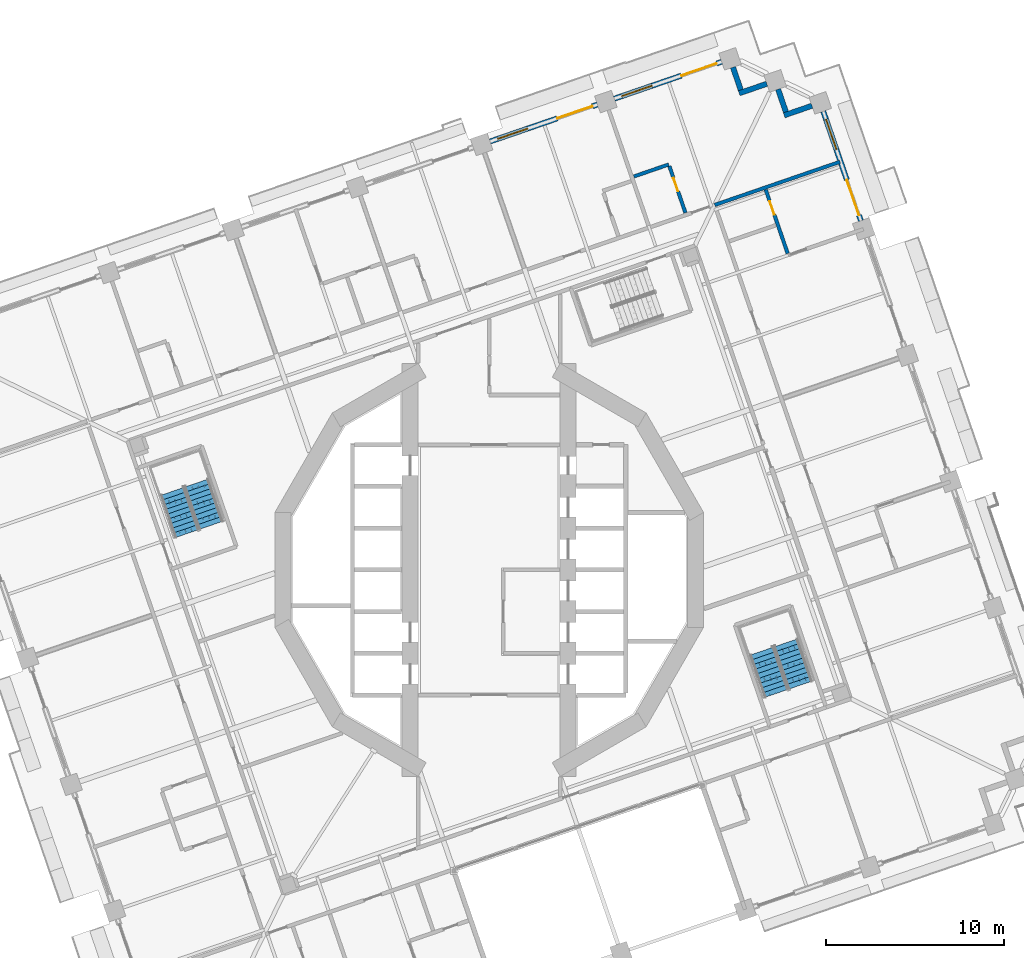
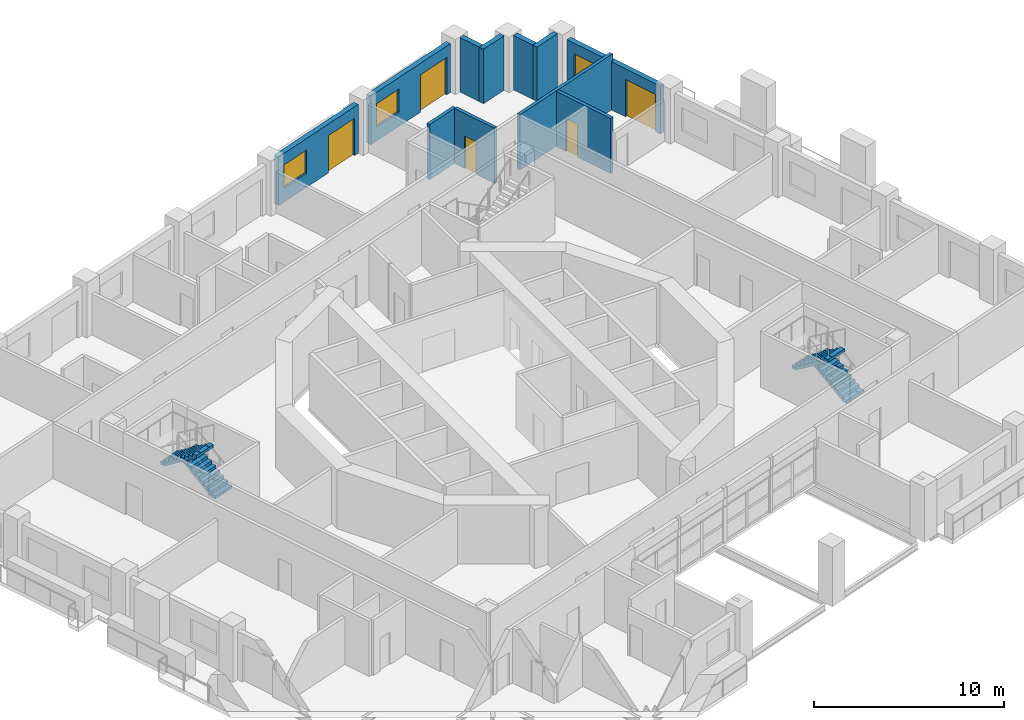
# One storey, part 14 of 22: 11 walls, 5 doors, 4 stair flights, 3 windows, 8 openings, 2 elements without a shape of their own.
"""IFC4 building model written with IfcOpenShell, lengths in metres."""

from ifc_helpers import new_model, si_unit, direction, frame, frame_2d, origin, place, context, subcontext, project, spatial, polyline, rectangle, outline, extrude, material, layer, layer_set, type_object, element, fill, aggregate, save


model = new_model("IFC4")

# Units and contexts
model_context = context("Model", 3, precision=1e-05, world=origin(), true_north=direction((0.0, 1.0)))
body_context = subcontext(model_context, "Body", "Model", "MODEL_VIEW")
ifc_project = project(units=[si_unit("LENGTHUNIT", "METRE"), si_unit("AREAUNIT", "SQUARE_METRE"), si_unit("VOLUMEUNIT", "CUBIC_METRE"), si_unit("PLANEANGLEUNIT", "RADIAN"), si_unit("MASSUNIT", "GRAM", prefix="KILO")], contexts=[model_context])

# Site, building, storey
site_placement = place(None, origin())
site = spatial("IfcSite", under=ifc_project, at=site_placement, CompositionType="ELEMENT")
building_placement = place(site_placement, origin())
building = spatial("IfcBuilding", under=site, at=building_placement, Name="Cantera Rosa Tower", CompositionType="ELEMENT")
storey_placement = place(building_placement, frame((0.0, 0.0, 107.89990234375)))
storey = spatial("IfcBuildingStorey", under=building, at=storey_placement, Name="L21", CompositionType="ELEMENT", Elevation=107.89990234375)

# Walls
ifc_material_1 = material(Name="Hollow clay masonry with cantera stone cladding", Category="masonry")
ifc_layer_1 = layer(ifc_material_1, 0.300048828125)
ifc_layer_set_1 = layer_set([ifc_layer_1], Name="EW-LOGGIA 300")
wall_type_1 = type_object("IfcWallType", Name="EW-LOGGIA 300", PredefinedType="SOLIDWALL", material=ifc_layer_set_1)
wall_1_placement = place(storey_placement, frame((18.17919921875, 26.142822265625, 0.0), z_axis=(0.0, 0.0, 1.0), x_axis=(-0.945530119553, -0.32553462645, 0.0)))
element("IfcWall", 1, at=wall_1_placement, inside=storey, type_object=wall_type_1, Name="EN-L21-W06a", PredefinedType="SOLIDWALL", context=body_context, shape_type="SweptSolid", body=[
    extrude(rectangle(XDim=1.64990234375, YDim=0.300048828125, at=frame_2d((0.824951171875, 0.0))), origin(), (0.0, 0.0, 1.0), 3.5),
])
wall_2_placement = place(storey_placement, frame((16.7119140625, 25.79638671875, 0.0), z_axis=(0.0, 0.0, 1.0), x_axis=(-0.325544748006, 0.945526634763, 0.0)))
element("IfcWall", 2, at=wall_2_placement, inside=storey, type_object=wall_type_1, Name="EN-L21-W06b", PredefinedType="SOLIDWALL", context=body_context, shape_type="SweptSolid", body=[
    extrude(rectangle(XDim=1.349853515625, YDim=0.300048828125, at=frame_2d((0.6748046875, 0.0))), origin(), (0.0, 0.0, 1.0), 3.5),
])
wall_3_placement = place(storey_placement, frame((15.636962890625, 27.3828125, 0.0), z_axis=(0.0, 0.0, 1.0), x_axis=(-0.945484566827, -0.325666906351, 0.0)))
element("IfcWall", 3, at=wall_3_placement, inside=storey, type_object=wall_type_1, Name="EN-L21-W07a", PredefinedType="SOLIDWALL", context=body_context, shape_type="SweptSolid", body=[
    extrude(rectangle(XDim=1.64990234375, YDim=0.300048828125, at=frame_2d((0.824951171875, 0.0))), origin(), (0.0, 0.0, 1.0), 3.5),
])
wall_4_placement = place(storey_placement, frame((14.169921875, 27.0361328125, 0.0), z_axis=(0.0, 0.0, 1.0), x_axis=(-0.325650742363, 0.945490134268, 0.0)))
element("IfcWall", 4, at=wall_4_placement, inside=storey, type_object=wall_type_1, Name="EN-L21-W07b", PredefinedType="SOLIDWALL", context=body_context, shape_type="SweptSolid", body=[
    extrude(rectangle(XDim=1.35009765625, YDim=0.300048828125, at=frame_2d((0.675048828125, 0.0))), origin(), (0.0, 0.0, 1.0), 3.5),
])

# Wall, openings, window, door
ifc_material_2 = material(Name="Hollow clay masonry with cantera stone cladding", Category="masonry")
ifc_layer_2 = layer(ifc_material_2, 0.300048828125)
ifc_layer_set_2 = layer_set([ifc_layer_2], Name="EW-LOGGIA 300 H3090")
wall_type_2 = type_object("IfcWallType", Name="EW-LOGGIA 300 H3090", PredefinedType="SOLIDWALL", material=ifc_layer_set_2)
wall_5_placement = place(storey_placement, frame((20.9375, 19.668212890625, 0.0), z_axis=(0.0, 0.0, 1.0), x_axis=(-0.325592517631, 0.945510186335, 0.0)))
wall_5 = element("IfcWall", 5, at=wall_5_placement, inside=storey, type_object=wall_type_2, Name="EN-L21-W05", PredefinedType="SOLIDWALL", context=body_context, shape_type="SweptSolid", body=[
    extrude(rectangle(XDim=6.519775390625, YDim=0.300048828125, at=frame_2d((3.259765625, 0.0))), origin(), (0.0, 0.0, 1.0), 3.090087890625),
])
opening_1_placement = place(wall_5_placement, frame((0.330078125, 0.0, 0.0)))
opening_1 = element("IfcOpeningElement", 6, at=opening_1_placement, cuts=wall_5, Name="Opening L21-TD09", PredefinedType="OPENING", context=body_context, shape_type="SweptSolid", body=[
    extrude(rectangle(XDim=2.10009765625, YDim=2.39990234375, at=frame_2d((1.050048828125, 1.199951171875))), frame((0.0, 0.159912109375, 0.0), z_axis=(0.0, -1.0, 0.0), x_axis=(1.0, 0.0, 0.0)), (0.0, 0.0, 1.0), 0.320068359375),
])
opening_2_placement = place(wall_5_placement, frame((4.239990234375, 0.0, 0.89990234375)))
opening_2 = element("IfcOpeningElement", 7, at=opening_2_placement, cuts=wall_5, Name="Opening L21-W10", PredefinedType="OPENING", context=body_context, shape_type="SweptSolid", body=[
    extrude(rectangle(XDim=1.800048828125, YDim=1.5, at=frame_2d((0.89990234375, 0.75))), frame((0.0, 0.159912109375, 0.0), z_axis=(0.0, -1.0, 0.0), x_axis=(1.0, 0.0, 0.0)), (0.0, 0.0, 1.0), 0.320068359375),
])
ifc_material_3 = material(Name="Aluminium frame with clear glass", Category="aluminium")
window_type = type_object("IfcWindowType", Name="Hotel room window 1800x1500", PartitioningType="DOUBLE_PANEL_VERTICAL", PredefinedType="WINDOW", material=ifc_material_3)
window_1_placement = place(opening_2_placement, origin())
window_1 = element("IfcWindow", 8, at=window_1_placement, inside=storey, type_object=window_type, Name="WINDOW L21-W10", OverallHeight=1.5, OverallWidth=1.800048828125, PartitioningType="SINGLE_PANEL", PredefinedType="WINDOW", context=body_context, shape_type="SweptSolid", body=[
    extrude(rectangle(XDim=1.800048828125, YDim=1.5, at=frame_2d((0.89990234375, 0.75))), frame((0.0, 0.030029296875, 0.0), z_axis=(0.0, -1.0, 0.0), x_axis=(1.0, 0.0, 0.0)), (0.0, 0.0, 1.0), 0.06005859375),
])
fill(opening_2, window_1)
ifc_material_4 = material(Name="Aluminium frame with clear glass", Category="aluminium")
door_type_1 = type_object("IfcDoorType", Name="TD-H 2100x2400", OperationType="NOTDEFINED", PredefinedType="DOOR", material=ifc_material_4)
door_1_placement = place(opening_1_placement, origin())
door_1 = element("IfcDoor", 9, at=door_1_placement, inside=storey, type_object=door_type_1, Name="LOGGIA DOOR L21-TD09", OperationType="SLIDING_TO_LEFT", OverallHeight=2.39990234375, OverallWidth=2.10009765625, PredefinedType="DOOR", context=body_context, shape_type="SweptSolid", body=[
    extrude(rectangle(XDim=2.10009765625, YDim=2.39990234375, at=frame_2d((1.050048828125, 1.199951171875))), frame((0.0, 0.02490234375, 0.0), z_axis=(0.0, -1.0, 0.0), x_axis=(1.0, 0.0, 0.0)), (0.0, 0.0, 1.0), 0.050048828125),
])
fill(opening_1, door_1)

ifc_material_5 = material(Name="Hollow clay masonry with cantera stone cladding", Category="masonry")
ifc_layer_3 = layer(ifc_material_5, 0.300048828125)
ifc_layer_set_3 = layer_set([ifc_layer_3], Name="EW-LOGGIA 300 H3140")
wall_type_3 = type_object("IfcWallType", Name="EW-LOGGIA 300 H3140", PredefinedType="SOLIDWALL", material=ifc_layer_set_3)
wall_6_placement = place(storey_placement, frame((13.0947265625, 28.62255859375, 0.0), z_axis=(0.0, 0.0, 1.0), x_axis=(-0.945524496524, -0.325550958337, 0.0)))
wall_6 = element("IfcWall", 10, at=wall_6_placement, inside=storey, type_object=wall_type_3, Name="EN-L21-W08", PredefinedType="SOLIDWALL", context=body_context, shape_type="SweptSolid", body=[
    extrude(rectangle(XDim=6.39990234375, YDim=0.300048828125, at=frame_2d((3.199951171875, 0.0))), origin(), (0.0, 0.0, 1.0), 3.14013671875),
])
opening_3_placement = place(wall_6_placement, frame((0.300048828125, 0.0, 0.0)))
opening_3 = element("IfcOpeningElement", 11, at=opening_3_placement, cuts=wall_6, Name="Opening L21-TD11", PredefinedType="OPENING", context=body_context, shape_type="SweptSolid", body=[
    extrude(rectangle(XDim=2.10009765625, YDim=2.39990234375, at=frame_2d((1.050048828125, 1.199951171875))), frame((0.0, 0.159912109375, 0.0), z_axis=(0.0, -1.0, 0.0), x_axis=(1.0, 0.0, 0.0)), (0.0, 0.0, 1.0), 0.320068359375),
])
opening_4_placement = place(wall_6_placement, frame((4.14990234375, 0.0, 0.89990234375)))
opening_4 = element("IfcOpeningElement", 12, at=opening_4_placement, cuts=wall_6, Name="Opening L21-W12", PredefinedType="OPENING", context=body_context, shape_type="SweptSolid", body=[
    extrude(rectangle(XDim=1.800048828125, YDim=1.5, at=frame_2d((0.89990234375, 0.75))), frame((0.0, 0.159912109375, 0.0), z_axis=(0.0, -1.0, 0.0), x_axis=(1.0, 0.0, 0.0)), (0.0, 0.0, 1.0), 0.320068359375),
])
window_2_placement = place(opening_4_placement, origin())
window_2 = element("IfcWindow", 13, at=window_2_placement, inside=storey, type_object=window_type, Name="WINDOW L21-W12", OverallHeight=1.5, OverallWidth=1.800048828125, PartitioningType="SINGLE_PANEL", PredefinedType="WINDOW", context=body_context, shape_type="SweptSolid", body=[
    extrude(rectangle(XDim=1.800048828125, YDim=1.5, at=frame_2d((0.89990234375, 0.75))), frame((0.0, 0.030029296875, 0.0), z_axis=(0.0, -1.0, 0.0), x_axis=(1.0, 0.0, 0.0)), (0.0, 0.0, 1.0), 0.06005859375),
])
fill(opening_4, window_2)
door_2_placement = place(opening_3_placement, origin())
door_2 = element("IfcDoor", 14, at=door_2_placement, inside=storey, type_object=door_type_1, Name="LOGGIA DOOR L21-TD11", OperationType="SLIDING_TO_LEFT", OverallHeight=2.39990234375, OverallWidth=2.10009765625, PredefinedType="DOOR", context=body_context, shape_type="SweptSolid", body=[
    extrude(rectangle(XDim=2.10009765625, YDim=2.39990234375, at=frame_2d((1.050048828125, 1.199951171875))), frame((0.0, 0.02490234375, 0.0), z_axis=(0.0, -1.0, 0.0), x_axis=(1.0, 0.0, 0.0)), (0.0, 0.0, 1.0), 0.050048828125),
])
fill(opening_3, door_2)

wall_7_placement = place(storey_placement, frame((6.097900390625, 26.21337890625, 0.0), z_axis=(0.0, 0.0, 1.0), x_axis=(-0.945524496524, -0.325550958337, 0.0)))
wall_7 = element("IfcWall", 15, at=wall_7_placement, inside=storey, type_object=wall_type_3, Name="EN-L21-W09", PredefinedType="SOLIDWALL", context=body_context, shape_type="SweptSolid", body=[
    extrude(rectangle(XDim=6.39990234375, YDim=0.300048828125, at=frame_2d((3.199951171875, 0.0))), origin(), (0.0, 0.0, 1.0), 3.14013671875),
])
opening_5_placement = place(wall_7_placement, frame((0.300048828125, 0.0, 0.0)))
opening_5 = element("IfcOpeningElement", 16, at=opening_5_placement, cuts=wall_7, Name="Opening L21-TD13", PredefinedType="OPENING", context=body_context, shape_type="SweptSolid", body=[
    extrude(rectangle(XDim=2.10009765625, YDim=2.39990234375, at=frame_2d((1.050048828125, 1.199951171875))), frame((0.0, 0.159912109375, 0.0), z_axis=(0.0, -1.0, 0.0), x_axis=(1.0, 0.0, 0.0)), (0.0, 0.0, 1.0), 0.320068359375),
])
opening_6_placement = place(wall_7_placement, frame((4.14990234375, 0.0, 0.89990234375)))
opening_6 = element("IfcOpeningElement", 17, at=opening_6_placement, cuts=wall_7, Name="Opening L21-W14", PredefinedType="OPENING", context=body_context, shape_type="SweptSolid", body=[
    extrude(rectangle(XDim=1.800048828125, YDim=1.5, at=frame_2d((0.89990234375, 0.75))), frame((0.0, 0.159912109375, 0.0), z_axis=(0.0, -1.0, 0.0), x_axis=(1.0, 0.0, 0.0)), (0.0, 0.0, 1.0), 0.320068359375),
])
window_3_placement = place(opening_6_placement, origin())
window_3 = element("IfcWindow", 18, at=window_3_placement, inside=storey, type_object=window_type, Name="WINDOW L21-W14", OverallHeight=1.5, OverallWidth=1.800048828125, PartitioningType="SINGLE_PANEL", PredefinedType="WINDOW", context=body_context, shape_type="SweptSolid", body=[
    extrude(rectangle(XDim=1.800048828125, YDim=1.5, at=frame_2d((0.89990234375, 0.75))), frame((0.0, 0.030029296875, 0.0), z_axis=(0.0, -1.0, 0.0), x_axis=(1.0, 0.0, 0.0)), (0.0, 0.0, 1.0), 0.06005859375),
])
fill(opening_6, window_3)
door_3_placement = place(opening_5_placement, origin())
door_3 = element("IfcDoor", 19, at=door_3_placement, inside=storey, type_object=door_type_1, Name="LOGGIA DOOR L21-TD13", OperationType="SLIDING_TO_LEFT", OverallHeight=2.39990234375, OverallWidth=2.10009765625, PredefinedType="DOOR", context=body_context, shape_type="SweptSolid", body=[
    extrude(rectangle(XDim=2.10009765625, YDim=2.39990234375, at=frame_2d((1.050048828125, 1.199951171875))), frame((0.0, 0.02490234375, 0.0), z_axis=(0.0, -1.0, 0.0), x_axis=(1.0, 0.0, 0.0)), (0.0, 0.0, 1.0), 0.050048828125),
])
fill(opening_5, door_3)

# Wall
ifc_material_6 = material(Name="Gypsum board partition")
ifc_layer_4 = layer(ifc_material_6, 0.199951171875)
ifc_layer_set_4 = layer_set([ifc_layer_4], Name="PARTITION 200 H3550")
wall_type_4 = type_object("IfcWallType", Name="PARTITION 200 H3550", PredefinedType="PARTITIONING", material=ifc_layer_set_4)
wall_8_placement = place(storey_placement, frame((8.149169921875, 22.160400390625, 0.0), z_axis=(0.0, 0.0, 1.0), x_axis=(0.94551508012, 0.32557830589, 0.0)))
element("IfcWall", 20, at=wall_8_placement, inside=storey, type_object=wall_type_4, Name="PARTITION L21-083", PredefinedType="PARTITIONING", context=body_context, shape_type="SweptSolid", body=[
    extrude(rectangle(XDim=2.080078125, YDim=0.199951171875, at=frame_2d((1.0400390625, 0.0))), origin(), (0.0, 0.0, 1.0), 3.550048828125),
])

# Wall, opening, door
wall_9_placement = place(storey_placement, frame((10.1484375, 22.7431640625, 0.0), z_axis=(0.0, 0.0, 1.0), x_axis=(0.325617188453, -0.945501690418, 0.0)))
wall_9 = element("IfcWall", 21, at=wall_9_placement, inside=storey, type_object=wall_type_4, Name="PARTITION L21-084", PredefinedType="PARTITIONING", context=body_context, shape_type="SweptSolid", body=[
    extrude(rectangle(XDim=2.7802734375, YDim=0.199951171875, at=frame_2d((1.39013671875, 0.0))), origin(), (0.0, 0.0, 1.0), 3.550048828125),
])
opening_7_placement = place(wall_9_placement, frame((0.699951171875, 0.0, 0.0)))
opening_7 = element("IfcOpeningElement", 22, at=opening_7_placement, cuts=wall_9, Name="Opening L21-034", PredefinedType="OPENING", context=body_context, shape_type="SweptSolid", body=[
    extrude(rectangle(XDim=0.800048828125, YDim=2.10009765625, at=frame_2d((0.39990234375, 1.050048828125))), frame((0.0, 0.10986328125, 0.0), z_axis=(0.0, -1.0, 0.0), x_axis=(1.0, 0.0, 0.0)), (0.0, 0.0, 1.0), 0.219970703125),
])
ifc_material_7 = material(Name="Timber door leaf", Category="wood")
door_type_2 = type_object("IfcDoorType", Name="BATHROOM DOOR 800x2100", OperationType="NOTDEFINED", PredefinedType="DOOR", material=ifc_material_7)
door_4_placement = place(opening_7_placement, origin())
door_4 = element("IfcDoor", 23, at=door_4_placement, inside=storey, type_object=door_type_2, Name="DOOR L21-034", OperationType="NOTDEFINED", OverallHeight=2.10009765625, OverallWidth=0.800048828125, PredefinedType="DOOR", context=body_context, shape_type="SweptSolid", body=[
    extrude(rectangle(XDim=0.800048828125, YDim=2.10009765625, at=frame_2d((0.39990234375, 1.050048828125))), frame((0.0, 0.02490234375, 0.0), z_axis=(0.0, -1.0, 0.0), x_axis=(1.0, 0.0, 0.0)), (0.0, 0.0, 1.0), 0.050048828125),
])
fill(opening_7, door_4)

wall_10_placement = place(storey_placement, frame((16.812744140625, 17.82470703125, 0.0), z_axis=(0.0, 0.0, 1.0), x_axis=(-0.325541188315, 0.945527860357, 0.0)))
wall_10 = element("IfcWall", 24, at=wall_10_placement, inside=storey, type_object=wall_type_4, Name="PARTITION L21-101", PredefinedType="PARTITIONING", context=body_context, shape_type="SweptSolid", body=[
    extrude(rectangle(XDim=3.800048828125, YDim=0.199951171875, at=frame_2d((1.89990234375, 0.0))), origin(), (0.0, 0.0, 1.0), 3.550048828125),
])
opening_8_placement = place(wall_10_placement, frame((2.31005859375, 0.0, 0.0)))
opening_8 = element("IfcOpeningElement", 25, at=opening_8_placement, cuts=wall_10, Name="Opening L21-023", PredefinedType="OPENING", context=body_context, shape_type="SweptSolid", body=[
    extrude(rectangle(XDim=0.800048828125, YDim=2.10009765625, at=frame_2d((0.39990234375, 1.050048828125))), frame((0.0, 0.10986328125, 0.0), z_axis=(0.0, -1.0, 0.0), x_axis=(1.0, 0.0, 0.0)), (0.0, 0.0, 1.0), 0.219970703125),
])
door_5_placement = place(opening_8_placement, origin())
door_5 = element("IfcDoor", 26, at=door_5_placement, inside=storey, type_object=door_type_2, Name="DOOR L21-023", OperationType="NOTDEFINED", OverallHeight=2.10009765625, OverallWidth=0.800048828125, PredefinedType="DOOR", context=body_context, shape_type="SweptSolid", body=[
    extrude(rectangle(XDim=0.800048828125, YDim=2.10009765625, at=frame_2d((0.39990234375, 1.050048828125))), frame((0.0, 0.02490234375, 0.0), z_axis=(0.0, -1.0, 0.0), x_axis=(1.0, 0.0, 0.0)), (0.0, 0.0, 1.0), 0.050048828125),
])
fill(opening_8, door_5)

# Wall
ifc_material_8 = material(Name="Gypsum board partition")
ifc_layer_5 = layer(ifc_material_8, 0.199951171875)
ifc_layer_set_5 = layer_set([ifc_layer_5], Name="PARTY WALL 200 H3550")
wall_type_5 = type_object("IfcWallType", Name="PARTY WALL 200 H3550", PredefinedType="PARTITIONING", material=ifc_layer_set_5)
wall_11_placement = place(storey_placement, frame((12.699951171875, 20.5546875, 0.0), z_axis=(0.0, 0.0, 1.0), x_axis=(0.945522578269, 0.325556529628, 0.0)))
element("IfcWall", 27, at=wall_11_placement, inside=storey, type_object=wall_type_5, Name="PARTY WALL L21-091", PredefinedType="PARTITIONING", context=body_context, shape_type="SweptSolid", body=[
    extrude(rectangle(XDim=7.469970703125, YDim=0.199951171875, at=frame_2d((3.73486328125, 0.0))), origin(), (0.0, 0.0, 1.0), 3.550048828125),
])

# Stair, stair flights
ifc_material_9 = material(Name="Concrete C35/45", Category="concrete")
stair_type = type_object("IfcStairType", Name="EXIT STAIR 1350 DOGLEG", PredefinedType="HALF_TURN_STAIR", material=ifc_material_9)
stair_1_placement = place(storey_placement, origin())
stair_1 = element("IfcStair", 28, at=stair_1_placement, inside=storey, type_object=stair_type, Name="L21 ST-22", PredefinedType="HALF_TURN_STAIR")
ifc_material_10 = material(Name="Concrete C35/45", Category="concrete")
stair_flight_type = type_object("IfcStairFlightType", Name="STAIR FLIGHT 1350 R20x190", PredefinedType="STRAIGHT", material=ifc_material_10)
stair_flight_1_placement = place(storey_placement, frame((-15.635009765625, 2.5205078125, 0.0), z_axis=(0.0, 0.0, 1.0), x_axis=(-0.325568154457, 0.945518575599, 0.0)))
stair_flight_1 = element("IfcStairFlight", 29, at=stair_flight_1_placement, type_object=stair_flight_type, Name="ST-22 flight 1", NumberOfRisers=10, NumberOfTreads=9, PredefinedType="STRAIGHT", RiserHeight=0.19, TreadLength=0.28, context=body_context, shape_type="SweptSolid", body=[
    extrude(outline(polyline([(0.0, 0.0), (0.0, 0.18994140625), (0.280029296875, 0.18994140625), (0.280029296875, 0.3798828125), (0.56005859375, 0.3798828125), (0.56005859375, 0.570068359375), (0.840087890625, 0.570068359375), (0.840087890625, 0.760009765625), (1.1201171875, 0.760009765625), (1.1201171875, 0.949951171875), (1.39990234375, 0.949951171875), (1.39990234375, 1.139892578125), (1.679931640625, 1.139892578125), (1.679931640625, 1.330078125), (1.9599609375, 1.330078125), (1.9599609375, 1.52001953125), (2.239990234375, 1.52001953125), (2.239990234375, 1.7099609375), (2.52001953125, 1.7099609375), (2.52001953125, 1.89990234375), (2.52001953125, 1.52880859375), (0.266845703125, 0.0), (0.0, 0.0)])), frame((0.0, 0.675048828125, 0.0), z_axis=(0.0, -1.0, 0.0), x_axis=(1.0, 0.0, 0.0)), (0.0, 0.0, 1.0), 0.3359375),
    extrude(outline(polyline([(0.0, 0.0), (0.0, 0.18994140625), (0.280029296875, 0.18994140625), (0.280029296875, 0.3798828125), (0.56005859375, 0.3798828125), (0.56005859375, 0.570068359375), (0.840087890625, 0.570068359375), (0.840087890625, 0.760009765625), (1.1201171875, 0.760009765625), (1.1201171875, 0.949951171875), (1.39990234375, 0.949951171875), (1.39990234375, 1.139892578125), (1.679931640625, 1.139892578125), (1.679931640625, 1.330078125), (1.9599609375, 1.330078125), (1.9599609375, 1.52001953125), (2.239990234375, 1.52001953125), (2.239990234375, 1.7099609375), (2.52001953125, 1.7099609375), (2.52001953125, 1.89990234375), (2.52001953125, 1.52880859375), (0.266845703125, 0.0), (0.0, 0.0)])), frame((0.0, 0.337158203125, 0.0), z_axis=(0.0, -1.0, 0.0), x_axis=(1.0, 0.0, 0.0)), (0.0, 0.0, 1.0), 0.3359375),
    extrude(outline(polyline([(0.0, 0.0), (0.0, 0.18994140625), (0.280029296875, 0.18994140625), (0.280029296875, 0.3798828125), (0.56005859375, 0.3798828125), (0.56005859375, 0.570068359375), (0.840087890625, 0.570068359375), (0.840087890625, 0.760009765625), (1.1201171875, 0.760009765625), (1.1201171875, 0.949951171875), (1.39990234375, 0.949951171875), (1.39990234375, 1.139892578125), (1.679931640625, 1.139892578125), (1.679931640625, 1.330078125), (1.9599609375, 1.330078125), (1.9599609375, 1.52001953125), (2.239990234375, 1.52001953125), (2.239990234375, 1.7099609375), (2.52001953125, 1.7099609375), (2.52001953125, 1.89990234375), (2.52001953125, 1.52880859375), (0.266845703125, 0.0), (0.0, 0.0)])), frame((0.0, -0.000732421875, 0.0), z_axis=(0.0, -1.0, 0.0), x_axis=(1.0, 0.0, 0.0)), (0.0, 0.0, 1.0), 0.3359375),
    extrude(outline(polyline([(0.0, 0.0), (0.0, 0.18994140625), (0.280029296875, 0.18994140625), (0.280029296875, 0.3798828125), (0.56005859375, 0.3798828125), (0.56005859375, 0.570068359375), (0.840087890625, 0.570068359375), (0.840087890625, 0.760009765625), (1.1201171875, 0.760009765625), (1.1201171875, 0.949951171875), (1.39990234375, 0.949951171875), (1.39990234375, 1.139892578125), (1.679931640625, 1.139892578125), (1.679931640625, 1.330078125), (1.9599609375, 1.330078125), (1.9599609375, 1.52001953125), (2.239990234375, 1.52001953125), (2.239990234375, 1.7099609375), (2.52001953125, 1.7099609375), (2.52001953125, 1.89990234375), (2.52001953125, 1.52880859375), (0.266845703125, 0.0), (0.0, 0.0)])), frame((0.0, -0.338623046875, 0.0), z_axis=(0.0, -1.0, 0.0), x_axis=(1.0, 0.0, 0.0)), (0.0, 0.0, 1.0), 0.3359375),
])
stair_flight_2_placement = place(storey_placement, frame((-17.873779296875, 4.414794921875, 1.900146484375), z_axis=(0.0, 0.0, 1.0), x_axis=(0.325568154457, -0.945518575599, 0.0)))
stair_flight_2 = element("IfcStairFlight", 30, at=stair_flight_2_placement, type_object=stair_flight_type, Name="ST-22 flight 2", NumberOfRisers=10, NumberOfTreads=9, PredefinedType="STRAIGHT", RiserHeight=0.19, TreadLength=0.28, context=body_context, shape_type="SweptSolid", body=[
    extrude(outline(polyline([(0.0, 0.0), (0.0, 0.18994140625), (0.280029296875, 0.18994140625), (0.280029296875, 0.3798828125), (0.56005859375, 0.3798828125), (0.56005859375, 0.570068359375), (0.840087890625, 0.570068359375), (0.840087890625, 0.760009765625), (1.1201171875, 0.760009765625), (1.1201171875, 0.949951171875), (1.39990234375, 0.949951171875), (1.39990234375, 1.139892578125), (1.679931640625, 1.139892578125), (1.679931640625, 1.330078125), (1.9599609375, 1.330078125), (1.9599609375, 1.52001953125), (2.239990234375, 1.52001953125), (2.239990234375, 1.7099609375), (2.52001953125, 1.7099609375), (2.52001953125, 1.89990234375), (2.52001953125, 1.52880859375), (0.266845703125, 0.0), (0.0, 0.0)])), frame((0.0, 0.675048828125, 0.0), z_axis=(0.0, -1.0, 0.0), x_axis=(1.0, 0.0, 0.0)), (0.0, 0.0, 1.0), 0.3359375),
    extrude(outline(polyline([(0.0, 0.0), (0.0, 0.18994140625), (0.280029296875, 0.18994140625), (0.280029296875, 0.3798828125), (0.56005859375, 0.3798828125), (0.56005859375, 0.570068359375), (0.840087890625, 0.570068359375), (0.840087890625, 0.760009765625), (1.1201171875, 0.760009765625), (1.1201171875, 0.949951171875), (1.39990234375, 0.949951171875), (1.39990234375, 1.139892578125), (1.679931640625, 1.139892578125), (1.679931640625, 1.330078125), (1.9599609375, 1.330078125), (1.9599609375, 1.52001953125), (2.239990234375, 1.52001953125), (2.239990234375, 1.7099609375), (2.52001953125, 1.7099609375), (2.52001953125, 1.89990234375), (2.52001953125, 1.52880859375), (0.266845703125, 0.0), (0.0, 0.0)])), frame((0.0, 0.337158203125, 0.0), z_axis=(0.0, -1.0, 0.0), x_axis=(1.0, 0.0, 0.0)), (0.0, 0.0, 1.0), 0.3359375),
    extrude(outline(polyline([(0.0, 0.0), (0.0, 0.18994140625), (0.280029296875, 0.18994140625), (0.280029296875, 0.3798828125), (0.56005859375, 0.3798828125), (0.56005859375, 0.570068359375), (0.840087890625, 0.570068359375), (0.840087890625, 0.760009765625), (1.1201171875, 0.760009765625), (1.1201171875, 0.949951171875), (1.39990234375, 0.949951171875), (1.39990234375, 1.139892578125), (1.679931640625, 1.139892578125), (1.679931640625, 1.330078125), (1.9599609375, 1.330078125), (1.9599609375, 1.52001953125), (2.239990234375, 1.52001953125), (2.239990234375, 1.7099609375), (2.52001953125, 1.7099609375), (2.52001953125, 1.89990234375), (2.52001953125, 1.52880859375), (0.266845703125, 0.0), (0.0, 0.0)])), frame((0.0, -0.000732421875, 0.0), z_axis=(0.0, -1.0, 0.0), x_axis=(1.0, 0.0, 0.0)), (0.0, 0.0, 1.0), 0.3359375),
    extrude(outline(polyline([(0.0, 0.0), (0.0, 0.18994140625), (0.280029296875, 0.18994140625), (0.280029296875, 0.3798828125), (0.56005859375, 0.3798828125), (0.56005859375, 0.570068359375), (0.840087890625, 0.570068359375), (0.840087890625, 0.760009765625), (1.1201171875, 0.760009765625), (1.1201171875, 0.949951171875), (1.39990234375, 0.949951171875), (1.39990234375, 1.139892578125), (1.679931640625, 1.139892578125), (1.679931640625, 1.330078125), (1.9599609375, 1.330078125), (1.9599609375, 1.52001953125), (2.239990234375, 1.52001953125), (2.239990234375, 1.7099609375), (2.52001953125, 1.7099609375), (2.52001953125, 1.89990234375), (2.52001953125, 1.52880859375), (0.266845703125, 0.0), (0.0, 0.0)])), frame((0.0, -0.338623046875, 0.0), z_axis=(0.0, -1.0, 0.0), x_axis=(1.0, 0.0, 0.0)), (0.0, 0.0, 1.0), 0.3359375),
])
aggregate(stair_1, [stair_flight_1, stair_flight_2])

stair_2_placement = place(storey_placement, origin())
stair_2 = element("IfcStair", 31, at=stair_2_placement, inside=storey, type_object=stair_type, Name="L21 ST-23", PredefinedType="HALF_TURN_STAIR")
stair_flight_3_placement = place(storey_placement, frame((17.56494140625, -6.4794921875, 0.0), z_axis=(0.0, 0.0, 1.0), x_axis=(-0.325568154457, 0.945518575599, 0.0)))
stair_flight_3 = element("IfcStairFlight", 32, at=stair_flight_3_placement, type_object=stair_flight_type, Name="ST-23 flight 1", NumberOfRisers=10, NumberOfTreads=9, PredefinedType="STRAIGHT", RiserHeight=0.19, TreadLength=0.28, context=body_context, shape_type="SweptSolid", body=[
    extrude(outline(polyline([(0.0, 0.0), (0.0, 0.18994140625), (0.280029296875, 0.18994140625), (0.280029296875, 0.3798828125), (0.56005859375, 0.3798828125), (0.56005859375, 0.570068359375), (0.840087890625, 0.570068359375), (0.840087890625, 0.760009765625), (1.1201171875, 0.760009765625), (1.1201171875, 0.949951171875), (1.39990234375, 0.949951171875), (1.39990234375, 1.139892578125), (1.679931640625, 1.139892578125), (1.679931640625, 1.330078125), (1.9599609375, 1.330078125), (1.9599609375, 1.52001953125), (2.239990234375, 1.52001953125), (2.239990234375, 1.7099609375), (2.52001953125, 1.7099609375), (2.52001953125, 1.89990234375), (2.52001953125, 1.52880859375), (0.266845703125, 0.0), (0.0, 0.0)])), frame((0.0, 0.675048828125, 0.0), z_axis=(0.0, -1.0, 0.0), x_axis=(1.0, 0.0, 0.0)), (0.0, 0.0, 1.0), 0.3359375),
    extrude(outline(polyline([(0.0, 0.0), (0.0, 0.18994140625), (0.280029296875, 0.18994140625), (0.280029296875, 0.3798828125), (0.56005859375, 0.3798828125), (0.56005859375, 0.570068359375), (0.840087890625, 0.570068359375), (0.840087890625, 0.760009765625), (1.1201171875, 0.760009765625), (1.1201171875, 0.949951171875), (1.39990234375, 0.949951171875), (1.39990234375, 1.139892578125), (1.679931640625, 1.139892578125), (1.679931640625, 1.330078125), (1.9599609375, 1.330078125), (1.9599609375, 1.52001953125), (2.239990234375, 1.52001953125), (2.239990234375, 1.7099609375), (2.52001953125, 1.7099609375), (2.52001953125, 1.89990234375), (2.52001953125, 1.52880859375), (0.266845703125, 0.0), (0.0, 0.0)])), frame((0.0, 0.337158203125, 0.0), z_axis=(0.0, -1.0, 0.0), x_axis=(1.0, 0.0, 0.0)), (0.0, 0.0, 1.0), 0.3359375),
    extrude(outline(polyline([(0.0, 0.0), (0.0, 0.18994140625), (0.280029296875, 0.18994140625), (0.280029296875, 0.3798828125), (0.56005859375, 0.3798828125), (0.56005859375, 0.570068359375), (0.840087890625, 0.570068359375), (0.840087890625, 0.760009765625), (1.1201171875, 0.760009765625), (1.1201171875, 0.949951171875), (1.39990234375, 0.949951171875), (1.39990234375, 1.139892578125), (1.679931640625, 1.139892578125), (1.679931640625, 1.330078125), (1.9599609375, 1.330078125), (1.9599609375, 1.52001953125), (2.239990234375, 1.52001953125), (2.239990234375, 1.7099609375), (2.52001953125, 1.7099609375), (2.52001953125, 1.89990234375), (2.52001953125, 1.52880859375), (0.266845703125, 0.0), (0.0, 0.0)])), frame((0.0, -0.000732421875, 0.0), z_axis=(0.0, -1.0, 0.0), x_axis=(1.0, 0.0, 0.0)), (0.0, 0.0, 1.0), 0.3359375),
    extrude(outline(polyline([(0.0, 0.0), (0.0, 0.18994140625), (0.280029296875, 0.18994140625), (0.280029296875, 0.3798828125), (0.56005859375, 0.3798828125), (0.56005859375, 0.570068359375), (0.840087890625, 0.570068359375), (0.840087890625, 0.760009765625), (1.1201171875, 0.760009765625), (1.1201171875, 0.949951171875), (1.39990234375, 0.949951171875), (1.39990234375, 1.139892578125), (1.679931640625, 1.139892578125), (1.679931640625, 1.330078125), (1.9599609375, 1.330078125), (1.9599609375, 1.52001953125), (2.239990234375, 1.52001953125), (2.239990234375, 1.7099609375), (2.52001953125, 1.7099609375), (2.52001953125, 1.89990234375), (2.52001953125, 1.52880859375), (0.266845703125, 0.0), (0.0, 0.0)])), frame((0.0, -0.338623046875, 0.0), z_axis=(0.0, -1.0, 0.0), x_axis=(1.0, 0.0, 0.0)), (0.0, 0.0, 1.0), 0.3359375),
])
stair_flight_4_placement = place(storey_placement, frame((15.326171875, -4.585205078125, 1.900146484375), z_axis=(0.0, 0.0, 1.0), x_axis=(0.325568154457, -0.945518575599, 0.0)))
stair_flight_4 = element("IfcStairFlight", 33, at=stair_flight_4_placement, type_object=stair_flight_type, Name="ST-23 flight 2", NumberOfRisers=10, NumberOfTreads=9, PredefinedType="STRAIGHT", RiserHeight=0.19, TreadLength=0.28, context=body_context, shape_type="SweptSolid", body=[
    extrude(outline(polyline([(0.0, 0.0), (0.0, 0.18994140625), (0.280029296875, 0.18994140625), (0.280029296875, 0.3798828125), (0.56005859375, 0.3798828125), (0.56005859375, 0.570068359375), (0.840087890625, 0.570068359375), (0.840087890625, 0.760009765625), (1.1201171875, 0.760009765625), (1.1201171875, 0.949951171875), (1.39990234375, 0.949951171875), (1.39990234375, 1.139892578125), (1.679931640625, 1.139892578125), (1.679931640625, 1.330078125), (1.9599609375, 1.330078125), (1.9599609375, 1.52001953125), (2.239990234375, 1.52001953125), (2.239990234375, 1.7099609375), (2.52001953125, 1.7099609375), (2.52001953125, 1.89990234375), (2.52001953125, 1.52880859375), (0.266845703125, 0.0), (0.0, 0.0)])), frame((0.0, 0.675048828125, 0.0), z_axis=(0.0, -1.0, 0.0), x_axis=(1.0, 0.0, 0.0)), (0.0, 0.0, 1.0), 0.3359375),
    extrude(outline(polyline([(0.0, 0.0), (0.0, 0.18994140625), (0.280029296875, 0.18994140625), (0.280029296875, 0.3798828125), (0.56005859375, 0.3798828125), (0.56005859375, 0.570068359375), (0.840087890625, 0.570068359375), (0.840087890625, 0.760009765625), (1.1201171875, 0.760009765625), (1.1201171875, 0.949951171875), (1.39990234375, 0.949951171875), (1.39990234375, 1.139892578125), (1.679931640625, 1.139892578125), (1.679931640625, 1.330078125), (1.9599609375, 1.330078125), (1.9599609375, 1.52001953125), (2.239990234375, 1.52001953125), (2.239990234375, 1.7099609375), (2.52001953125, 1.7099609375), (2.52001953125, 1.89990234375), (2.52001953125, 1.52880859375), (0.266845703125, 0.0), (0.0, 0.0)])), frame((0.0, 0.337158203125, 0.0), z_axis=(0.0, -1.0, 0.0), x_axis=(1.0, 0.0, 0.0)), (0.0, 0.0, 1.0), 0.3359375),
    extrude(outline(polyline([(0.0, 0.0), (0.0, 0.18994140625), (0.280029296875, 0.18994140625), (0.280029296875, 0.3798828125), (0.56005859375, 0.3798828125), (0.56005859375, 0.570068359375), (0.840087890625, 0.570068359375), (0.840087890625, 0.760009765625), (1.1201171875, 0.760009765625), (1.1201171875, 0.949951171875), (1.39990234375, 0.949951171875), (1.39990234375, 1.139892578125), (1.679931640625, 1.139892578125), (1.679931640625, 1.330078125), (1.9599609375, 1.330078125), (1.9599609375, 1.52001953125), (2.239990234375, 1.52001953125), (2.239990234375, 1.7099609375), (2.52001953125, 1.7099609375), (2.52001953125, 1.89990234375), (2.52001953125, 1.52880859375), (0.266845703125, 0.0), (0.0, 0.0)])), frame((0.0, -0.000732421875, 0.0), z_axis=(0.0, -1.0, 0.0), x_axis=(1.0, 0.0, 0.0)), (0.0, 0.0, 1.0), 0.3359375),
    extrude(outline(polyline([(0.0, 0.0), (0.0, 0.18994140625), (0.280029296875, 0.18994140625), (0.280029296875, 0.3798828125), (0.56005859375, 0.3798828125), (0.56005859375, 0.570068359375), (0.840087890625, 0.570068359375), (0.840087890625, 0.760009765625), (1.1201171875, 0.760009765625), (1.1201171875, 0.949951171875), (1.39990234375, 0.949951171875), (1.39990234375, 1.139892578125), (1.679931640625, 1.139892578125), (1.679931640625, 1.330078125), (1.9599609375, 1.330078125), (1.9599609375, 1.52001953125), (2.239990234375, 1.52001953125), (2.239990234375, 1.7099609375), (2.52001953125, 1.7099609375), (2.52001953125, 1.89990234375), (2.52001953125, 1.52880859375), (0.266845703125, 0.0), (0.0, 0.0)])), frame((0.0, -0.338623046875, 0.0), z_axis=(0.0, -1.0, 0.0), x_axis=(1.0, 0.0, 0.0)), (0.0, 0.0, 1.0), 0.3359375),
])
aggregate(stair_2, [stair_flight_3, stair_flight_4])

save(model, "model.ifc")
